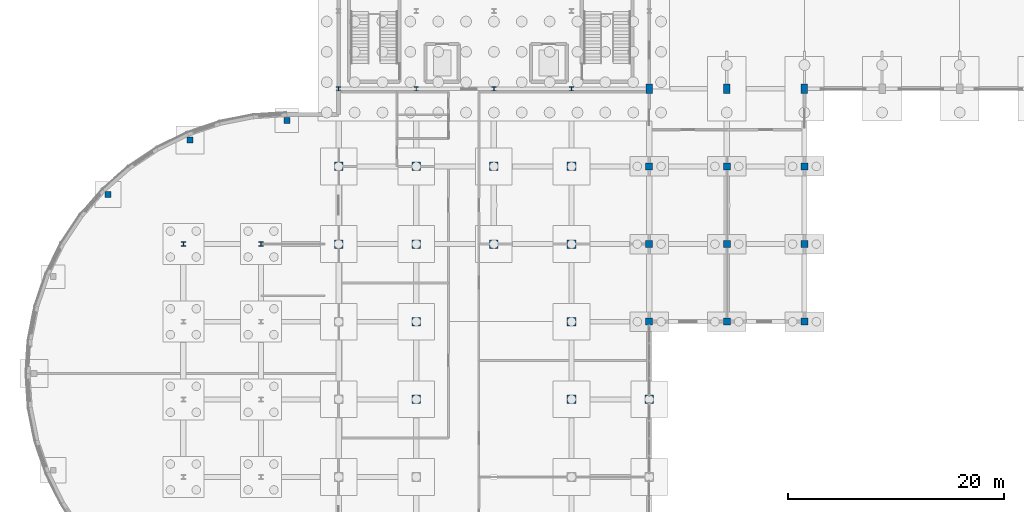
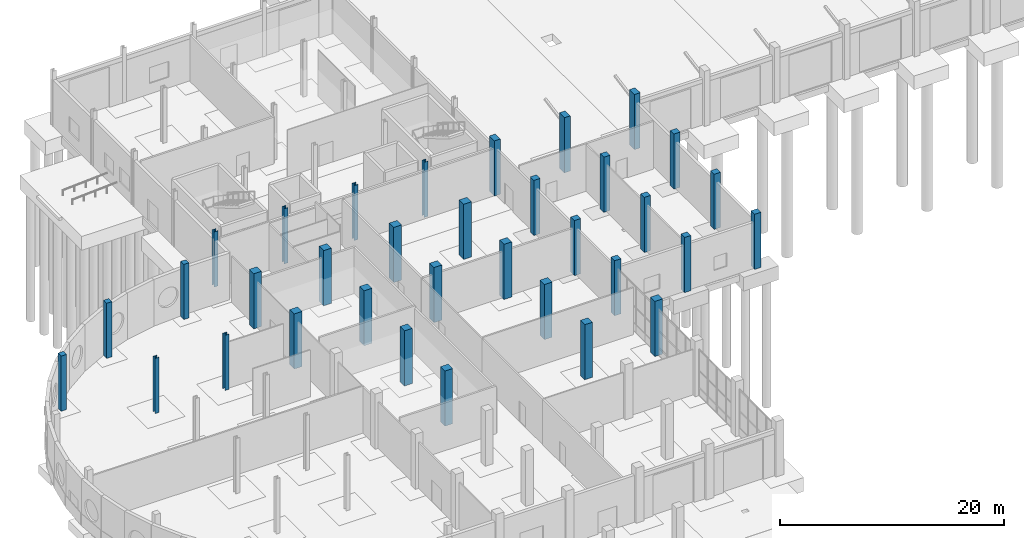
# One storey, part 7 of 45: 34 columns.
"""IFC4 building model written with IfcOpenShell, lengths in metres."""

from ifc_helpers import new_model, si_unit, direction, frame, origin, origin_2d, place, context, subcontext, project, spatial, rectangle, i_section, extrude, material, material_profile, profile_set, type_object, element, save


model = new_model("IFC4")

# Units and contexts
model_context = context("Model", 3, precision=1e-05, world=origin(), true_north=direction((0.0, 1.0)))
body_context = subcontext(model_context, "Body", "Model", "MODEL_VIEW")
ifc_project = project(units=[si_unit("LENGTHUNIT", "METRE"), si_unit("AREAUNIT", "SQUARE_METRE"), si_unit("VOLUMEUNIT", "CUBIC_METRE"), si_unit("PLANEANGLEUNIT", "RADIAN"), si_unit("MASSUNIT", "GRAM", prefix="KILO")], contexts=[model_context])

# Site, building, storey
site_placement = place(None, origin())
site = spatial("IfcSite", under=ifc_project, at=site_placement, CompositionType="ELEMENT")
building_placement = place(site_placement, origin())
building = spatial("IfcBuilding", under=site, at=building_placement, Name="Yarey Park Central Fire Station", CompositionType="ELEMENT")
storey_placement = place(building_placement, origin())
storey = spatial("IfcBuildingStorey", under=building, at=storey_placement, Name="L01", CompositionType="ELEMENT", Elevation=0.0)

# Columns
ifc_material_1 = material(Name="Concrete C40/50", Category="concrete")
ifc_material_profile_1 = material_profile(ifc_material_1, rectangle(XDim=0.550048828125, YDim=0.550048828125, at=origin_2d()), Name="RC 550x550")
ifc_profile_set_1 = profile_set([ifc_material_profile_1], Name="Concrete C40/50")
column_type_1 = type_object("IfcColumnType", Name="STR_COL_RC550_EXT", PredefinedType="COLUMN", material=ifc_profile_set_1)
for number, where, z_axis, x_axis, name in (
    (1, (7.41796875, 47.781982421875, 0.0), (0.0, 0.0, 1.0), (1.0, 0.0, 0.0), "COL_L01_X74_Y478"),
    (2, (15.02587890625, 52.864990234375, 0.0), (0.0, 0.0, 1.0), (1.0, 0.0, 0.0), "COL_L01_X150_Y529"),
    (3, (24.0, 54.64990234375, 0.0), (0.0, 0.0, 1.0), (1.0, 0.0, 0.0), "COL_L01_X240_Y546"),
):
    element("IfcColumn", number, at=place(storey_placement, frame(where, z_axis=z_axis, x_axis=x_axis)), inside=storey, type_object=column_type_1, Name=name, PredefinedType="COLUMN", context=body_context, shape_type="SweptSolid", body=[
        extrude(rectangle(XDim=0.550048828125, YDim=0.550048828125, at=origin_2d()), origin(), (0.0, 0.0, 1.0), 6.0),
    ])
ifc_material_profile_2 = material_profile(ifc_material_1, rectangle(XDim=0.64990234375, YDim=0.64990234375, at=origin_2d()), Name="RC 650x650")
ifc_profile_set_2 = profile_set([ifc_material_profile_2], Name="Concrete C40/50")
column_type_2 = type_object("IfcColumnType", Name="STR_COL_RC650_EXT", PredefinedType="COLUMN", material=ifc_profile_set_2)
for number, where, z_axis, x_axis, name in (
    (4, (57.60009765625, 36.0, 0.0), (0.0, 0.0, 1.0), (1.0, 0.0, 0.0), "COL_L01_X576_Y360"),
    (5, (57.60009765625, 43.199951171875, 0.0), (0.0, 0.0, 1.0), (1.0, 0.0, 0.0), "COL_L01_X576_Y432"),
    (6, (57.60009765625, 50.39990234375, 0.0), (0.0, 0.0, 1.0), (1.0, 0.0, 0.0), "COL_L01_X576_Y504"),
    (7, (64.800048828125, 36.0, 0.0), (0.0, 0.0, 1.0), (1.0, 0.0, 0.0), "COL_L01_X648_Y360"),
    (8, (72.0, 36.0, 0.0), (0.0, 0.0, 1.0), (1.0, 0.0, 0.0), "COL_L01_X720_Y360"),
    (9, (72.0, 43.199951171875, 0.0), (0.0, 0.0, 1.0), (1.0, 0.0, 0.0), "COL_L01_X720_Y432"),
    (10, (72.0, 50.39990234375, 0.0), (0.0, 0.0, 1.0), (1.0, 0.0, 0.0), "COL_L01_X720_Y504"),
):
    element("IfcColumn", number, at=place(storey_placement, frame(where, z_axis=z_axis, x_axis=x_axis)), inside=storey, type_object=column_type_2, Name=name, PredefinedType="COLUMN", context=body_context, shape_type="SweptSolid", body=[
        extrude(rectangle(XDim=0.64990234375, YDim=0.64990234375, at=origin_2d()), origin(), (0.0, 0.0, 1.0), 6.0),
    ])
ifc_material_profile_3 = material_profile(ifc_material_1, rectangle(XDim=0.64990234375, YDim=0.64990234375, at=origin_2d()), Name="RC 650x650")
ifc_profile_set_3 = profile_set([ifc_material_profile_3], Name="Concrete C40/50")
column_type_3 = type_object("IfcColumnType", Name="STR_COL_RC650_INT", PredefinedType="COLUMN", material=ifc_profile_set_3)
for number, where, z_axis, x_axis, name in (
    (11, (64.800048828125, 43.199951171875, 0.0), (0.0, 0.0, 1.0), (1.0, 0.0, 0.0), "COL_L01_X648_Y432"),
    (12, (64.800048828125, 50.39990234375, 0.0), (0.0, 0.0, 1.0), (1.0, 0.0, 0.0), "COL_L01_X648_Y504"),
):
    element("IfcColumn", number, at=place(storey_placement, frame(where, z_axis=z_axis, x_axis=x_axis)), inside=storey, type_object=column_type_3, Name=name, PredefinedType="COLUMN", context=body_context, shape_type="SweptSolid", body=[
        extrude(rectangle(XDim=0.64990234375, YDim=0.64990234375, at=origin_2d()), origin(), (0.0, 0.0, 1.0), 6.0),
    ])
ifc_material_profile_4 = material_profile(ifc_material_1, rectangle(XDim=0.800048828125, YDim=0.800048828125, at=origin_2d()), Name="RC 800x800")
ifc_profile_set_4 = profile_set([ifc_material_profile_4], Name="Concrete C40/50")
column_type_4 = type_object("IfcColumnType", Name="STR_COL_RC800_EXT", PredefinedType="COLUMN", material=ifc_profile_set_4)
for number, where, z_axis, x_axis, name in (
    (13, (28.800048828125, 43.199951171875, 0.0), (0.0, 0.0, 1.0), (1.0, 0.0, 0.0), "COL_L01_X288_Y432"),
    (14, (28.800048828125, 50.39990234375, 0.0), (0.0, 0.0, 1.0), (1.0, 0.0, 0.0), "COL_L01_X288_Y504"),
    (15, (57.60009765625, 28.800048828125, 0.0), (0.0, 0.0, 1.0), (1.0, 0.0, 0.0), "COL_L01_X576_Y288"),
):
    element("IfcColumn", number, at=place(storey_placement, frame(where, z_axis=z_axis, x_axis=x_axis)), inside=storey, type_object=column_type_4, Name=name, PredefinedType="COLUMN", context=body_context, shape_type="SweptSolid", body=[
        extrude(rectangle(XDim=0.800048828125, YDim=0.800048828125, at=origin_2d()), origin(), (0.0, 0.0, 1.0), 6.0),
    ])
ifc_material_profile_5 = material_profile(ifc_material_1, rectangle(XDim=0.800048828125, YDim=0.800048828125, at=origin_2d()), Name="RC 800x800")
ifc_profile_set_5 = profile_set([ifc_material_profile_5], Name="Concrete C40/50")
column_type_5 = type_object("IfcColumnType", Name="STR_COL_RC800_INT", PredefinedType="COLUMN", material=ifc_profile_set_5)
for number, where, z_axis, x_axis, name in (
    (16, (36.0, 28.800048828125, 0.0), (0.0, 0.0, 1.0), (1.0, 0.0, 0.0), "COL_L01_X360_Y288"),
    (17, (36.0, 36.0, 0.0), (0.0, 0.0, 1.0), (1.0, 0.0, 0.0), "COL_L01_X360_Y360"),
    (18, (36.0, 43.199951171875, 0.0), (0.0, 0.0, 1.0), (1.0, 0.0, 0.0), "COL_L01_X360_Y432"),
    (19, (36.0, 50.39990234375, 0.0), (0.0, 0.0, 1.0), (1.0, 0.0, 0.0), "COL_L01_X360_Y504"),
    (20, (43.199951171875, 43.199951171875, 0.0), (0.0, 0.0, 1.0), (1.0, 0.0, 0.0), "COL_L01_X432_Y432"),
    (21, (43.199951171875, 50.39990234375, 0.0), (0.0, 0.0, 1.0), (1.0, 0.0, 0.0), "COL_L01_X432_Y504"),
    (22, (50.39990234375, 28.800048828125, 0.0), (0.0, 0.0, 1.0), (1.0, 0.0, 0.0), "COL_L01_X504_Y288"),
    (23, (50.39990234375, 36.0, 0.0), (0.0, 0.0, 1.0), (1.0, 0.0, 0.0), "COL_L01_X504_Y360"),
    (24, (50.39990234375, 43.199951171875, 0.0), (0.0, 0.0, 1.0), (1.0, 0.0, 0.0), "COL_L01_X504_Y432"),
    (25, (50.39990234375, 50.39990234375, 0.0), (0.0, 0.0, 1.0), (1.0, 0.0, 0.0), "COL_L01_X504_Y504"),
):
    element("IfcColumn", number, at=place(storey_placement, frame(where, z_axis=z_axis, x_axis=x_axis)), inside=storey, type_object=column_type_5, Name=name, PredefinedType="COLUMN", context=body_context, shape_type="SweptSolid", body=[
        extrude(rectangle(XDim=0.800048828125, YDim=0.800048828125, at=origin_2d()), origin(), (0.0, 0.0, 1.0), 6.0),
    ])
ifc_material_2 = material(Name="Steel ASTM A992 Gr. 50", Category="steel")
ifc_material_profile_6 = material_profile(ifc_material_2, i_section(OverallWidth=0.404052734375, OverallDepth=0.406982421875, WebThickness=0.027099609375, FlangeThickness=0.043701171875, at=origin_2d()), Name="W360x347")
ifc_profile_set_6 = profile_set([ifc_material_profile_6], Name="Steel ASTM A992 Gr. 50")
column_type_6 = type_object("IfcColumnType", Name="STR_COL_W360_EXT", PredefinedType="COLUMN", material=ifc_profile_set_6)
for number, where, z_axis, x_axis, name in (
    (26, (28.800048828125, 57.60009765625, 0.0), (0.0, 0.0, 1.0), (1.0, 0.0, 0.0), "COL_L01_X288_Y576"),
    (27, (36.0, 57.60009765625, 0.0), (0.0, 0.0, 1.0), (1.0, 0.0, 0.0), "COL_L01_X360_Y576"),
    (28, (43.199951171875, 57.60009765625, 0.0), (0.0, 0.0, 1.0), (1.0, 0.0, 0.0), "COL_L01_X432_Y576"),
    (29, (50.39990234375, 57.60009765625, 0.0), (0.0, 0.0, 1.0), (1.0, 0.0, 0.0), "COL_L01_X504_Y576"),
):
    element("IfcColumn", number, at=place(storey_placement, frame(where, z_axis=z_axis, x_axis=x_axis)), inside=storey, type_object=column_type_6, Name=name, PredefinedType="COLUMN", context=body_context, shape_type="SweptSolid", body=[
        extrude(i_section(OverallWidth=0.404052734375, OverallDepth=0.406982421875, WebThickness=0.027099609375, FlangeThickness=0.043701171875, at=origin_2d()), origin(), (0.0, 0.0, 1.0), 6.0),
    ])
ifc_material_profile_7 = material_profile(ifc_material_2, i_section(OverallWidth=0.404052734375, OverallDepth=0.406982421875, WebThickness=0.027099609375, FlangeThickness=0.043701171875, at=origin_2d()), Name="W360x347")
ifc_profile_set_7 = profile_set([ifc_material_profile_7], Name="Steel ASTM A992 Gr. 50")
column_type_7 = type_object("IfcColumnType", Name="STR_COL_W360_INT", PredefinedType="COLUMN", material=ifc_profile_set_7)
for number, where, z_axis, x_axis, name in (
    (30, (14.39990234375, 43.199951171875, 0.0), (0.0, 0.0, 1.0), (1.0, 0.0, 0.0), "COL_L01_X144_Y432"),
    (31, (21.60009765625, 43.199951171875, 0.0), (0.0, 0.0, 1.0), (1.0, 0.0, 0.0), "COL_L01_X216_Y432"),
):
    element("IfcColumn", number, at=place(storey_placement, frame(where, z_axis=z_axis, x_axis=x_axis)), inside=storey, type_object=column_type_7, Name=name, PredefinedType="COLUMN", context=body_context, shape_type="SweptSolid", body=[
        extrude(i_section(OverallWidth=0.404052734375, OverallDepth=0.406982421875, WebThickness=0.027099609375, FlangeThickness=0.043701171875, at=origin_2d()), origin(), (0.0, 0.0, 1.0), 6.0),
    ])
ifc_material_profile_8 = material_profile(ifc_material_1, rectangle(XDim=0.60009765625, YDim=0.89990234375, at=origin_2d()), Name="RC 900x600")
ifc_profile_set_8 = profile_set([ifc_material_profile_8], Name="Concrete C40/50")
column_type_8 = type_object("IfcColumnType", Name="STR_PIER_ARCH", PredefinedType="PILASTER", material=ifc_profile_set_8)
for number, where, z_axis, x_axis, name in (
    (32, (57.60009765625, 57.60009765625, 0.0), (0.0, 0.0, 1.0), (1.0, 0.0, 0.0), "COL_L01_X576_Y576"),
    (33, (64.800048828125, 57.60009765625, 0.0), (0.0, 0.0, 1.0), (1.0, 0.0, 0.0), "COL_L01_X648_Y576"),
    (34, (72.0, 57.60009765625, 0.0), (0.0, 0.0, 1.0), (1.0, 0.0, 0.0), "COL_L01_X720_Y576"),
):
    element("IfcColumn", number, at=place(storey_placement, frame(where, z_axis=z_axis, x_axis=x_axis)), inside=storey, type_object=column_type_8, Name=name, PredefinedType="PILASTER", context=body_context, shape_type="SweptSolid", body=[
        extrude(rectangle(XDim=0.60009765625, YDim=0.89990234375, at=origin_2d()), origin(), (0.0, 0.0, 1.0), 6.0),
    ])

save(model, "model.ifc")
